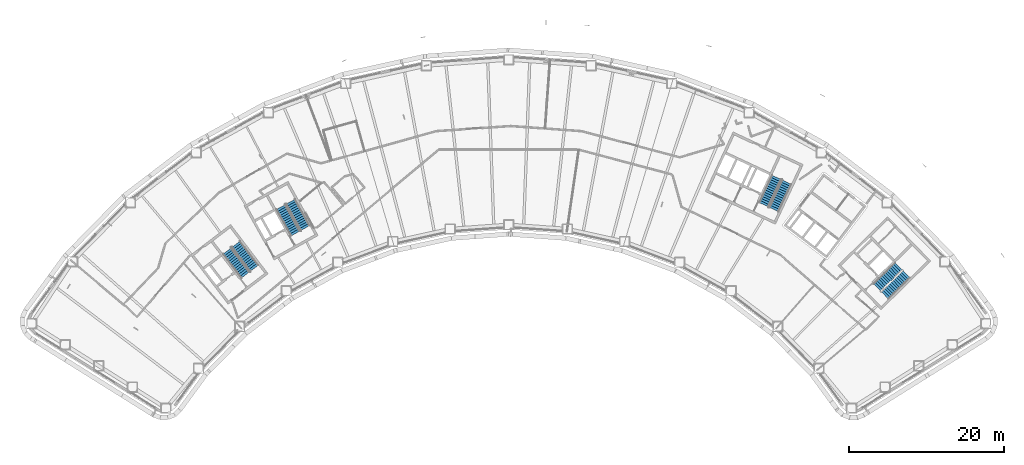
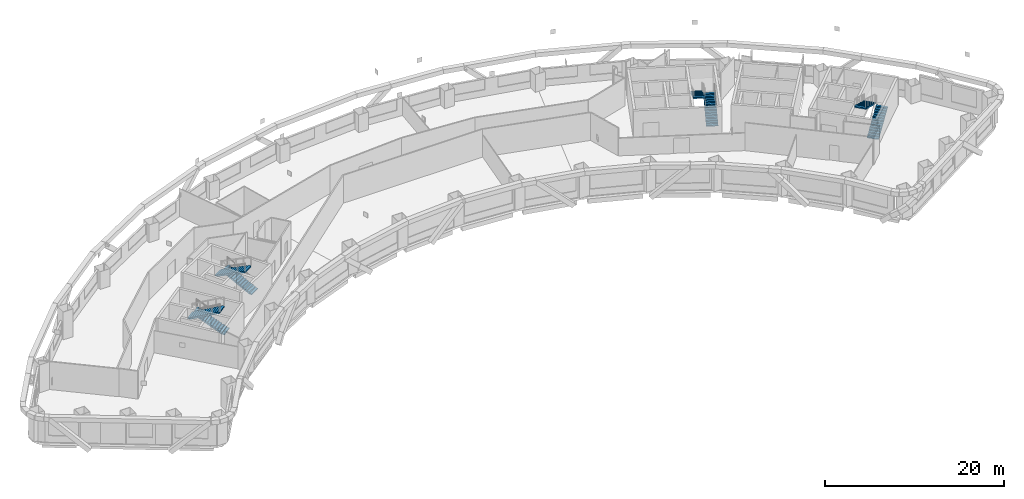
# One storey, part 9 of 19: 8 stair flights, 4 elements without a shape of their own.
"""IFC4 building model written with IfcOpenShell, lengths in metres."""

from ifc_helpers import new_model, si_unit, direction, frame, origin, place, context, subcontext, project, spatial, polyline, outline, extrude, material, type_object, element, aggregate, save


model = new_model("IFC4")

# Units and contexts
model_context = context("Model", 3, precision=1e-05, world=origin(), true_north=direction((0.0, 1.0)))
body_context = subcontext(model_context, "Body", "Model", "MODEL_VIEW")
ifc_project = project(units=[si_unit("LENGTHUNIT", "METRE"), si_unit("AREAUNIT", "SQUARE_METRE"), si_unit("VOLUMEUNIT", "CUBIC_METRE"), si_unit("PLANEANGLEUNIT", "RADIAN"), si_unit("MASSUNIT", "GRAM", prefix="KILO")], contexts=[model_context])

# Site, building, storey
site_placement = place(None, origin())
site = spatial("IfcSite", under=ifc_project, at=site_placement, CompositionType="ELEMENT")
building_placement = place(site_placement, origin())
building = spatial("IfcBuilding", under=site, at=building_placement, Name="Tuul Gate Civic Tower", CompositionType="ELEMENT")
storey_placement = place(building_placement, frame((0.0, 0.0, 56.699951171875)))
storey = spatial("IfcBuildingStorey", under=building, at=storey_placement, Name="Level 12", CompositionType="ELEMENT", Elevation=56.699951171875)

# Stair, stair flights
ifc_material_1 = material(Name="Concrete C40/50", Category="concrete")
stair_type = type_object("IfcStairType", Name="Exit stair", PredefinedType="HALF_TURN_STAIR", material=ifc_material_1)
stair_1_placement = place(storey_placement, origin())
stair_1 = element("IfcStair", 1, at=stair_1_placement, inside=storey, type_object=stair_type, Name="Level 12 ST-1", PredefinedType="HALF_TURN_STAIR")
ifc_material_2 = material(Name="Concrete C40/50", Category="concrete")
stair_flight_type = type_object("IfcStairFlightType", Name="Exit stair flight", PredefinedType="STRAIGHT", material=ifc_material_2)
stair_flight_1_placement = place(storey_placement, frame((-32.875244140625, -13.066650390625, 0.0), z_axis=(0.0, 0.0, 1.0), x_axis=(-0.605764474941, 0.795644016442, 0.0)))
stair_flight_1 = element("IfcStairFlight", 2, at=stair_flight_1_placement, type_object=stair_flight_type, Name="ST-1 flight 1", NumberOfRisers=14, NumberOfTreads=13, PredefinedType="STRAIGHT", RiserHeight=0.15, TreadLength=0.3, context=body_context, shape_type="SweptSolid", body=[
    extrude(outline(polyline([(0.0, 0.0), (0.0, 0.14990234375), (0.300048828125, 0.14990234375), (0.300048828125, 0.300048828125), (0.60009765625, 0.300048828125), (0.60009765625, 0.449951171875), (0.89990234375, 0.449951171875), (0.89990234375, 0.60009765625), (1.199951171875, 0.60009765625), (1.199951171875, 0.75), (1.5, 0.75), (1.5, 0.89990234375), (1.800048828125, 0.89990234375), (1.800048828125, 1.050048828125), (2.10009765625, 1.050048828125), (2.10009765625, 1.199951171875), (2.39990234375, 1.199951171875), (2.39990234375, 1.35009765625), (2.699951171875, 1.35009765625), (2.699951171875, 1.5), (3.0, 1.5), (3.0, 1.64990234375), (3.300048828125, 1.64990234375), (3.300048828125, 1.800048828125), (3.60009765625, 1.800048828125), (3.60009765625, 1.949951171875), (3.89990234375, 1.949951171875), (3.89990234375, 2.10009765625), (3.89990234375, 1.782470703125), (0.335205078125, 0.0), (0.0, 0.0)])), frame((0.0, 0.675048828125, 0.0), z_axis=(0.0, -1.0, 0.0), x_axis=(1.0, 0.0, 0.0)), (0.0, 0.0, 1.0), 1.35009765625),
])
stair_flight_2_placement = place(storey_placement, frame((-36.391357421875, -10.842041015625, 2.10009765625), z_axis=(0.0, 0.0, 1.0), x_axis=(0.605764474941, -0.795644016442, 0.0)))
stair_flight_2 = element("IfcStairFlight", 3, at=stair_flight_2_placement, type_object=stair_flight_type, Name="ST-1 flight 2", NumberOfRisers=14, NumberOfTreads=13, PredefinedType="STRAIGHT", RiserHeight=0.15, TreadLength=0.3, context=body_context, shape_type="SweptSolid", body=[
    extrude(outline(polyline([(0.0, 0.0), (0.0, 0.14990234375), (0.300048828125, 0.14990234375), (0.300048828125, 0.300048828125), (0.60009765625, 0.300048828125), (0.60009765625, 0.449951171875), (0.89990234375, 0.449951171875), (0.89990234375, 0.60009765625), (1.199951171875, 0.60009765625), (1.199951171875, 0.75), (1.5, 0.75), (1.5, 0.89990234375), (1.800048828125, 0.89990234375), (1.800048828125, 1.050048828125), (2.10009765625, 1.050048828125), (2.10009765625, 1.199951171875), (2.39990234375, 1.199951171875), (2.39990234375, 1.35009765625), (2.699951171875, 1.35009765625), (2.699951171875, 1.5), (3.0, 1.5), (3.0, 1.64990234375), (3.300048828125, 1.64990234375), (3.300048828125, 1.800048828125), (3.60009765625, 1.800048828125), (3.60009765625, 1.949951171875), (3.89990234375, 1.949951171875), (3.89990234375, 2.10009765625), (3.89990234375, 1.782470703125), (0.335205078125, 0.0), (0.0, 0.0)])), frame((0.0, 0.675048828125, 0.0), z_axis=(0.0, -1.0, 0.0), x_axis=(1.0, 0.0, 0.0)), (0.0, 0.0, 1.0), 1.35009765625),
])
aggregate(stair_1, [stair_flight_1, stair_flight_2])

stair_2_placement = place(storey_placement, origin())
stair_2 = element("IfcStair", 4, at=stair_2_placement, inside=storey, type_object=stair_type, Name="Level 12 ST-2", PredefinedType="HALF_TURN_STAIR")
stair_flight_3_placement = place(storey_placement, frame((-26.29150390625, -7.87646484375, 0.0), z_axis=(0.0, 0.0, 1.0), x_axis=(-0.484761763766, 0.874646232708, 0.0)))
stair_flight_3 = element("IfcStairFlight", 5, at=stair_flight_3_placement, type_object=stair_flight_type, Name="ST-2 flight 1", NumberOfRisers=14, NumberOfTreads=13, PredefinedType="STRAIGHT", RiserHeight=0.15, TreadLength=0.3, context=body_context, shape_type="SweptSolid", body=[
    extrude(outline(polyline([(0.0, 0.0), (0.0, 0.14990234375), (0.300048828125, 0.14990234375), (0.300048828125, 0.300048828125), (0.60009765625, 0.300048828125), (0.60009765625, 0.449951171875), (0.89990234375, 0.449951171875), (0.89990234375, 0.60009765625), (1.199951171875, 0.60009765625), (1.199951171875, 0.75), (1.5, 0.75), (1.5, 0.89990234375), (1.800048828125, 0.89990234375), (1.800048828125, 1.050048828125), (2.10009765625, 1.050048828125), (2.10009765625, 1.199951171875), (2.39990234375, 1.199951171875), (2.39990234375, 1.35009765625), (2.699951171875, 1.35009765625), (2.699951171875, 1.5), (3.0, 1.5), (3.0, 1.64990234375), (3.300048828125, 1.64990234375), (3.300048828125, 1.800048828125), (3.60009765625, 1.800048828125), (3.60009765625, 1.949951171875), (3.89990234375, 1.949951171875), (3.89990234375, 2.10009765625), (3.89990234375, 1.782470703125), (0.335205078125, 0.0), (0.0, 0.0)])), frame((0.0, 0.675048828125, 0.0), z_axis=(0.0, -1.0, 0.0), x_axis=(1.0, 0.0, 0.0)), (0.0, 0.0, 1.0), 1.35009765625),
])
stair_flight_4_placement = place(storey_placement, frame((-29.450439453125, -5.168212890625, 2.10009765625), z_axis=(0.0, 0.0, 1.0), x_axis=(0.484761763766, -0.874646232708, 0.0)))
stair_flight_4 = element("IfcStairFlight", 6, at=stair_flight_4_placement, type_object=stair_flight_type, Name="ST-2 flight 2", NumberOfRisers=14, NumberOfTreads=13, PredefinedType="STRAIGHT", RiserHeight=0.15, TreadLength=0.3, context=body_context, shape_type="SweptSolid", body=[
    extrude(outline(polyline([(0.0, 0.0), (0.0, 0.14990234375), (0.300048828125, 0.14990234375), (0.300048828125, 0.300048828125), (0.60009765625, 0.300048828125), (0.60009765625, 0.449951171875), (0.89990234375, 0.449951171875), (0.89990234375, 0.60009765625), (1.199951171875, 0.60009765625), (1.199951171875, 0.75), (1.5, 0.75), (1.5, 0.89990234375), (1.800048828125, 0.89990234375), (1.800048828125, 1.050048828125), (2.10009765625, 1.050048828125), (2.10009765625, 1.199951171875), (2.39990234375, 1.199951171875), (2.39990234375, 1.35009765625), (2.699951171875, 1.35009765625), (2.699951171875, 1.5), (3.0, 1.5), (3.0, 1.64990234375), (3.300048828125, 1.64990234375), (3.300048828125, 1.800048828125), (3.60009765625, 1.800048828125), (3.60009765625, 1.949951171875), (3.89990234375, 1.949951171875), (3.89990234375, 2.10009765625), (3.89990234375, 1.782470703125), (0.335205078125, 0.0), (0.0, 0.0)])), frame((0.0, 0.675048828125, 0.0), z_axis=(0.0, -1.0, 0.0), x_axis=(1.0, 0.0, 0.0)), (0.0, 0.0, 1.0), 1.35009765625),
])
aggregate(stair_2, [stair_flight_3, stair_flight_4])

stair_3_placement = place(storey_placement, origin())
stair_3 = element("IfcStair", 7, at=stair_3_placement, inside=storey, type_object=stair_type, Name="Level 12 ST-3", PredefinedType="HALF_TURN_STAIR")
stair_flight_5_placement = place(storey_placement, frame((48.61376953125, -16.581787109375, 0.0), z_axis=(0.0, 0.0, 1.0), x_axis=(0.714127290059, 0.700015866672, 0.0)))
stair_flight_5 = element("IfcStairFlight", 8, at=stair_flight_5_placement, type_object=stair_flight_type, Name="ST-3 flight 1", NumberOfRisers=14, NumberOfTreads=13, PredefinedType="STRAIGHT", RiserHeight=0.15, TreadLength=0.3, context=body_context, shape_type="SweptSolid", body=[
    extrude(outline(polyline([(0.0, 0.0), (0.0, 0.14990234375), (0.300048828125, 0.14990234375), (0.300048828125, 0.300048828125), (0.60009765625, 0.300048828125), (0.60009765625, 0.449951171875), (0.89990234375, 0.449951171875), (0.89990234375, 0.60009765625), (1.199951171875, 0.60009765625), (1.199951171875, 0.75), (1.5, 0.75), (1.5, 0.89990234375), (1.800048828125, 0.89990234375), (1.800048828125, 1.050048828125), (2.10009765625, 1.050048828125), (2.10009765625, 1.199951171875), (2.39990234375, 1.199951171875), (2.39990234375, 1.35009765625), (2.699951171875, 1.35009765625), (2.699951171875, 1.5), (3.0, 1.5), (3.0, 1.64990234375), (3.300048828125, 1.64990234375), (3.300048828125, 1.800048828125), (3.60009765625, 1.800048828125), (3.60009765625, 1.949951171875), (3.89990234375, 1.949951171875), (3.89990234375, 2.10009765625), (3.89990234375, 1.782470703125), (0.335205078125, 0.0), (0.0, 0.0)])), frame((0.0, 0.675048828125, 0.0), z_axis=(0.0, -1.0, 0.0), x_axis=(1.0, 0.0, 0.0)), (0.0, 0.0, 1.0), 1.35009765625),
])
stair_flight_6_placement = place(storey_placement, frame((50.3837890625, -12.816162109375, 2.10009765625), z_axis=(0.0, 0.0, 1.0), x_axis=(-0.714127290059, -0.700015866672, 0.0)))
stair_flight_6 = element("IfcStairFlight", 9, at=stair_flight_6_placement, type_object=stair_flight_type, Name="ST-3 flight 2", NumberOfRisers=14, NumberOfTreads=13, PredefinedType="STRAIGHT", RiserHeight=0.15, TreadLength=0.3, context=body_context, shape_type="SweptSolid", body=[
    extrude(outline(polyline([(0.0, 0.0), (0.0, 0.14990234375), (0.300048828125, 0.14990234375), (0.300048828125, 0.300048828125), (0.60009765625, 0.300048828125), (0.60009765625, 0.449951171875), (0.89990234375, 0.449951171875), (0.89990234375, 0.60009765625), (1.199951171875, 0.60009765625), (1.199951171875, 0.75), (1.5, 0.75), (1.5, 0.89990234375), (1.800048828125, 0.89990234375), (1.800048828125, 1.050048828125), (2.10009765625, 1.050048828125), (2.10009765625, 1.199951171875), (2.39990234375, 1.199951171875), (2.39990234375, 1.35009765625), (2.699951171875, 1.35009765625), (2.699951171875, 1.5), (3.0, 1.5), (3.0, 1.64990234375), (3.300048828125, 1.64990234375), (3.300048828125, 1.800048828125), (3.60009765625, 1.800048828125), (3.60009765625, 1.949951171875), (3.89990234375, 1.949951171875), (3.89990234375, 2.10009765625), (3.89990234375, 1.782470703125), (0.335205078125, 0.0), (0.0, 0.0)])), frame((0.0, 0.675048828125, 0.0), z_axis=(0.0, -1.0, 0.0), x_axis=(1.0, 0.0, 0.0)), (0.0, 0.0, 1.0), 1.35009765625),
])
aggregate(stair_3, [stair_flight_5, stair_flight_6])

stair_4_placement = place(storey_placement, origin())
stair_4 = element("IfcStair", 10, at=stair_4_placement, inside=storey, type_object=stair_type, Name="Level 12 ST-4", PredefinedType="HALF_TURN_STAIR")
stair_flight_7_placement = place(storey_placement, frame((34.278564453125, -5.478515625, 0.0), z_axis=(0.0, 0.0, 1.0), x_axis=(0.422576295988, 0.906327354806, 0.0)))
stair_flight_7 = element("IfcStairFlight", 11, at=stair_flight_7_placement, type_object=stair_flight_type, Name="ST-4 flight 1", NumberOfRisers=14, NumberOfTreads=13, PredefinedType="STRAIGHT", RiserHeight=0.15, TreadLength=0.3, context=body_context, shape_type="SweptSolid", body=[
    extrude(outline(polyline([(0.0, 0.0), (0.0, 0.14990234375), (0.300048828125, 0.14990234375), (0.300048828125, 0.300048828125), (0.60009765625, 0.300048828125), (0.60009765625, 0.449951171875), (0.89990234375, 0.449951171875), (0.89990234375, 0.60009765625), (1.199951171875, 0.60009765625), (1.199951171875, 0.75), (1.5, 0.75), (1.5, 0.89990234375), (1.800048828125, 0.89990234375), (1.800048828125, 1.050048828125), (2.10009765625, 1.050048828125), (2.10009765625, 1.199951171875), (2.39990234375, 1.199951171875), (2.39990234375, 1.35009765625), (2.699951171875, 1.35009765625), (2.699951171875, 1.5), (3.0, 1.5), (3.0, 1.64990234375), (3.300048828125, 1.64990234375), (3.300048828125, 1.800048828125), (3.60009765625, 1.800048828125), (3.60009765625, 1.949951171875), (3.89990234375, 1.949951171875), (3.89990234375, 2.10009765625), (3.89990234375, 1.782470703125), (0.335205078125, 0.0), (0.0, 0.0)])), frame((0.0, 0.675048828125, 0.0), z_axis=(0.0, -1.0, 0.0), x_axis=(1.0, 0.0, 0.0)), (0.0, 0.0, 1.0), 1.35009765625),
])
stair_flight_8_placement = place(storey_placement, frame((34.612548828125, -1.3310546875, 2.10009765625), z_axis=(0.0, 0.0, 1.0), x_axis=(-0.422576295988, -0.906327354806, 0.0)))
stair_flight_8 = element("IfcStairFlight", 12, at=stair_flight_8_placement, type_object=stair_flight_type, Name="ST-4 flight 2", NumberOfRisers=14, NumberOfTreads=13, PredefinedType="STRAIGHT", RiserHeight=0.15, TreadLength=0.3, context=body_context, shape_type="SweptSolid", body=[
    extrude(outline(polyline([(0.0, 0.0), (0.0, 0.14990234375), (0.300048828125, 0.14990234375), (0.300048828125, 0.300048828125), (0.60009765625, 0.300048828125), (0.60009765625, 0.449951171875), (0.89990234375, 0.449951171875), (0.89990234375, 0.60009765625), (1.199951171875, 0.60009765625), (1.199951171875, 0.75), (1.5, 0.75), (1.5, 0.89990234375), (1.800048828125, 0.89990234375), (1.800048828125, 1.050048828125), (2.10009765625, 1.050048828125), (2.10009765625, 1.199951171875), (2.39990234375, 1.199951171875), (2.39990234375, 1.35009765625), (2.699951171875, 1.35009765625), (2.699951171875, 1.5), (3.0, 1.5), (3.0, 1.64990234375), (3.300048828125, 1.64990234375), (3.300048828125, 1.800048828125), (3.60009765625, 1.800048828125), (3.60009765625, 1.949951171875), (3.89990234375, 1.949951171875), (3.89990234375, 2.10009765625), (3.89990234375, 1.782470703125), (0.335205078125, 0.0), (0.0, 0.0)])), frame((0.0, 0.675048828125, 0.0), z_axis=(0.0, -1.0, 0.0), x_axis=(1.0, 0.0, 0.0)), (0.0, 0.0, 1.0), 1.35009765625),
])
aggregate(stair_4, [stair_flight_7, stair_flight_8])

save(model, "model.ifc")
